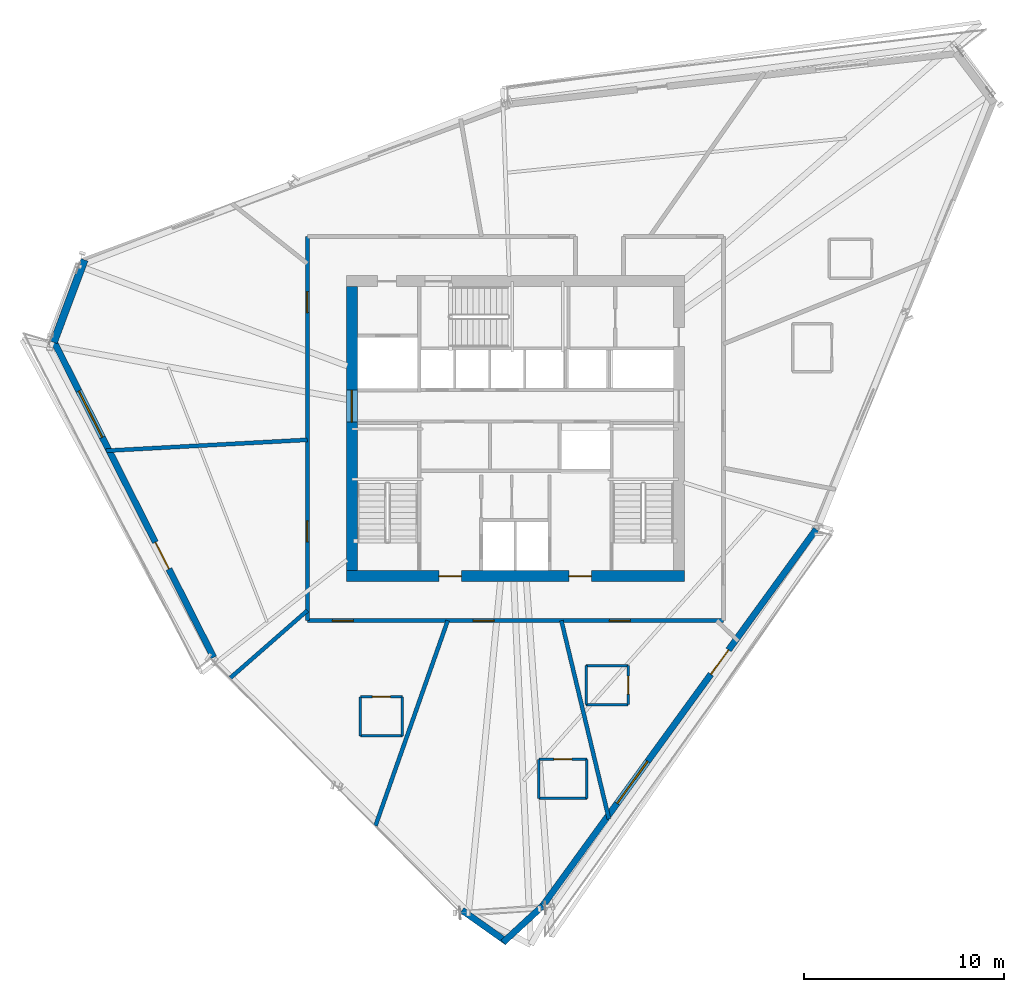
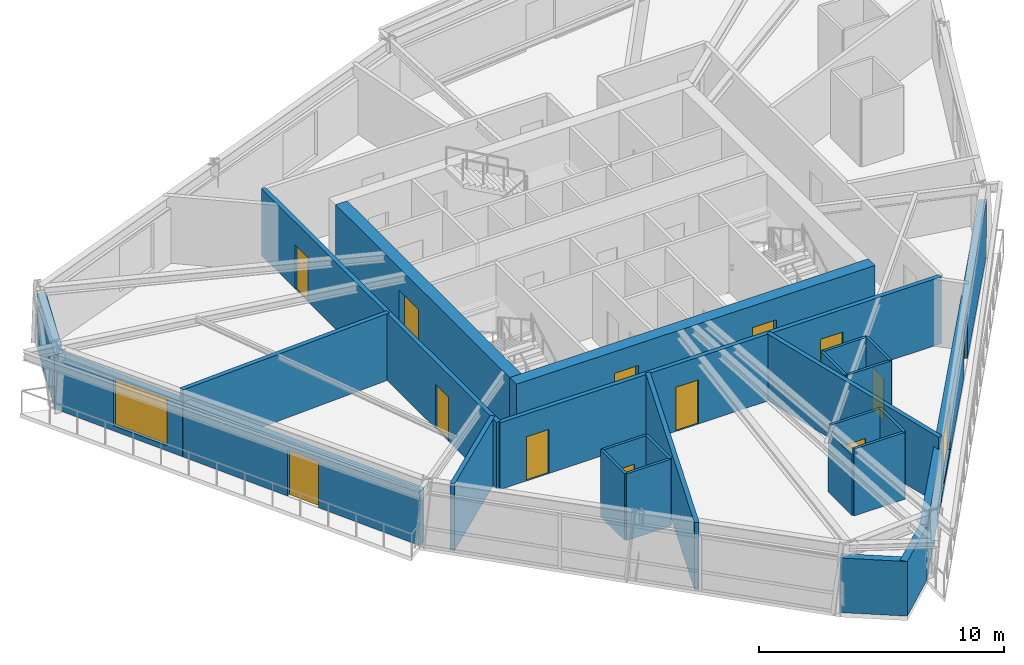
# One storey, part 8 of 14: 25 walls, 13 doors, 2 windows, 15 openings.
"""IFC4 building model written with IfcOpenShell, lengths in metres."""

from ifc_helpers import new_model, si_unit, direction, frame, frame_2d, origin, place, context, subcontext, project, spatial, rectangle, extrude, source, transform, mapped, material, layer, layer_set, type_object, type_shapes, element, fill, save


model = new_model("IFC4")

# Units and contexts
model_context = context("Model", 3, precision=1e-05, world=origin(), true_north=direction((0.0, 1.0)))
body_context = subcontext(model_context, "Body", "Model", "MODEL_VIEW")
ifc_project = project(units=[si_unit("LENGTHUNIT", "METRE"), si_unit("AREAUNIT", "SQUARE_METRE"), si_unit("VOLUMEUNIT", "CUBIC_METRE"), si_unit("PLANEANGLEUNIT", "RADIAN"), si_unit("MASSUNIT", "GRAM", prefix="KILO")], contexts=[model_context])

# Site, building, storey
site_placement = place(None, origin())
site = spatial("IfcSite", under=ifc_project, at=site_placement, CompositionType="ELEMENT")
building_placement = place(site_placement, origin())
building = spatial("IfcBuilding", under=site, at=building_placement, Name="Olszyna Solenne Hotel", CompositionType="ELEMENT")
storey_placement = place(building_placement, frame((0.0, 0.0, 185.64990234375)))
storey = spatial("IfcBuildingStorey", under=building, at=storey_placement, Name="L49", CompositionType="ELEMENT", Elevation=185.64990234375)

# Wall, openings, doors
ifc_material_1 = material(Name="Concrete C50/60", Category="concrete")
ifc_layer_1 = layer(ifc_material_1, 0.550048828125, Name="Concrete C50/60")
ifc_layer_set_1 = layer_set([ifc_layer_1], Name="Concrete C50/60")
wall_type_1 = type_object("IfcWallType", Name="WL-CR550", PredefinedType="SHEAR", material=ifc_layer_set_1)
wall_1_placement = place(storey_placement, frame((46.449951171875, 19.22509765625, 0.0), z_axis=(0.0, 0.0, 1.0), x_axis=(-1.0, 0.0, 0.0)))
wall_1 = element("IfcWall", 1, at=wall_1_placement, inside=storey, type_object=wall_type_1, Name="Core shear wall WL-CR550 CRW-L49-S", PredefinedType="SHEAR", context=body_context, shape_type="SweptSolid", body=[
    extrude(rectangle(XDim=16.89990234375, YDim=0.550048828125, at=frame_2d((8.449951171875, 0.0))), origin(), (0.0, 0.0, 1.0), 3.330078125),
])
opening_1_placement = place(wall_1_placement, frame((4.64990234375, 0.0, 0.0)))
opening_1 = element("IfcOpeningElement", 2, at=opening_1_placement, cuts=wall_1, Name="Opening FL-L49-1", PredefinedType="OPENING", context=body_context, shape_type="SweptSolid", body=[
    extrude(rectangle(XDim=1.1201171875, YDim=2.25, at=frame_2d((0.56005859375, 1.125))), frame((0.0, 0.28515625, 0.0), z_axis=(0.0, -1.0, 0.0), x_axis=(1.0, 0.0, 0.0)), (0.0, 0.0, 1.0), 0.570068359375),
])
opening_2_placement = place(wall_1_placement, frame((11.14990234375, 0.0, 0.0)))
opening_2 = element("IfcOpeningElement", 3, at=opening_2_placement, cuts=wall_1, Name="Opening FL-L49-2", PredefinedType="OPENING", context=body_context, shape_type="SweptSolid", body=[
    extrude(rectangle(XDim=1.1201171875, YDim=2.25, at=frame_2d((0.56005859375, 1.125))), frame((0.0, 0.28515625, 0.0), z_axis=(0.0, -1.0, 0.0), x_axis=(1.0, 0.0, 0.0)), (0.0, 0.0, 1.0), 0.570068359375),
])
ifc_material_2 = material(Name="Steel S355J2", Category="steel")
door_type_1 = type_object("IfcDoorType", Name="DR-FL1", OperationType="NOTDEFINED", PredefinedType="DOOR", material=ifc_material_2)
shared_shape_1 = source(origin(), body_context, "Body", "SweptSolid", [
    extrude(rectangle(XDim=1.1201171875, YDim=2.25, at=frame_2d((0.56005859375, 1.125))), frame((0.0, 0.02490234375, 0.0), z_axis=(0.0, -1.0, 0.0), x_axis=(1.0, 0.0, 0.0)), (0.0, 0.0, 1.0), 0.050048828125),
])
type_shapes(door_type_1, [shared_shape_1])
door_1_placement = place(opening_1_placement, origin())
door_1 = element("IfcDoor", 4, at=door_1_placement, inside=storey, type_object=door_type_1, Name="Firefighting lift lobby smoke door FL-L49-1", OperationType="SINGLE_SWING_LEFT", OverallHeight=2.25, OverallWidth=1.1201171875, PredefinedType="DOOR", context=body_context, shape_type="MappedRepresentation", body=[
    mapped(shared_shape_1, transform((0.0, 0.0, 0.0), x_axis=(1.0, 0.0, 0.0), y_axis=(0.0, 1.0, 0.0), z_axis=(0.0, 0.0, 1.0), scale=1.0)),
])
fill(opening_1, door_1)
door_2_placement = place(opening_2_placement, origin())
door_2 = element("IfcDoor", 5, at=door_2_placement, inside=storey, type_object=door_type_1, Name="Firefighting lift lobby smoke door FL-L49-2", OperationType="SINGLE_SWING_RIGHT", OverallHeight=2.25, OverallWidth=1.1201171875, PredefinedType="DOOR", context=body_context, shape_type="MappedRepresentation", body=[
    mapped(shared_shape_1, transform((0.0, 0.0, 0.0), x_axis=(1.0, 0.0, 0.0), y_axis=(0.0, 1.0, 0.0), z_axis=(0.0, 0.0, 1.0), scale=1.0)),
])
fill(opening_2, door_2)

# Wall, opening, door
wall_2_placement = place(storey_placement, frame((29.824951171875, 19.5, 0.0), z_axis=(0.0, 0.0, 1.0), x_axis=(0.0, 1.0, 0.0)))
wall_2 = element("IfcWall", 6, at=wall_2_placement, inside=storey, type_object=wall_type_1, Name="Core shear wall WL-CR550 CRW-L49-W", PredefinedType="SHEAR", context=body_context, shape_type="SweptSolid", body=[
    extrude(rectangle(XDim=14.199951171875, YDim=0.550048828125, at=frame_2d((7.10009765625, 0.0))), origin(), (0.0, 0.0, 1.0), 3.330078125),
])
opening_3_placement = place(wall_2_placement, frame((7.419921875, 0.0, 0.0)))
opening_3 = element("IfcOpeningElement", 7, at=opening_3_placement, cuts=wall_2, Name="Opening LHD-L49-W", PredefinedType="OPENING", context=body_context, shape_type="SweptSolid", body=[
    extrude(rectangle(XDim=1.60009765625, YDim=2.199951171875, at=frame_2d((0.800048828125, 1.10009765625))), frame((0.0, 0.28515625, 0.0), z_axis=(0.0, -1.0, 0.0), x_axis=(1.0, 0.0, 0.0)), (0.0, 0.0, 1.0), 0.570068359375),
])
ifc_material_3 = material(Name="Timber hardwood", Category="wood")
door_type_2 = type_object("IfcDoorType", Name="DR-CR1", OperationType="DOUBLE_DOOR_SINGLE_SWING", PredefinedType="DOOR", material=ifc_material_3)
shared_shape_2 = source(origin(), body_context, "Body", "SweptSolid", [
    extrude(rectangle(XDim=1.60009765625, YDim=2.199951171875, at=frame_2d((0.800048828125, 1.10009765625))), frame((0.0, 0.02490234375, 0.0), z_axis=(0.0, -1.0, 0.0), x_axis=(1.0, 0.0, 0.0)), (0.0, 0.0, 1.0), 0.050048828125),
])
type_shapes(door_type_2, [shared_shape_2])
door_3_placement = place(opening_3_placement, origin())
door_3 = element("IfcDoor", 8, at=door_3_placement, inside=storey, type_object=door_type_2, Name="Passenger lift lobby West fire door LHD-L49-W", OperationType="DOUBLE_DOOR_SINGLE_SWING", OverallHeight=2.199951171875, OverallWidth=1.60009765625, PredefinedType="DOOR", context=body_context, shape_type="MappedRepresentation", body=[
    mapped(shared_shape_2, transform((0.0, 0.0, 0.0), x_axis=(1.0, 0.0, 0.0), y_axis=(0.0, 1.0, 0.0), z_axis=(0.0, 0.0, 1.0), scale=1.0)),
])
fill(opening_3, door_3)

# Wall, openings, door, window
ifc_material_4 = material(Name="Precast concrete C45/55", Category="concrete")
ifc_layer_2 = layer(ifc_material_4, 0.320068359375, Name="Precast concrete C45/55")
ifc_layer_set_2 = layer_set([ifc_layer_2], Name="Precast concrete C45/55")
wall_type_2 = type_object("IfcWallType", Name="WL-EX320", PredefinedType="SOLIDWALL", material=ifc_layer_set_2)
wall_3_placement = place(storey_placement, frame((53.0341796875, 21.564697265625, 0.0), z_axis=(0.0, 0.0, 1.0), x_axis=(-0.58764790483, -0.809116765337, 0.0)))
wall_3 = element("IfcWall", 9, at=wall_3_placement, inside=storey, type_object=wall_type_2, Name="Exterior terracotta-precast frame wall WL-EX320 EW-L49-01", PredefinedType="SOLIDWALL", context=body_context, shape_type="SweptSolid", body=[
    extrude(rectangle(XDim=23.285400390625, YDim=0.320068359375, at=frame_2d((11.642578125, 0.0))), origin(), (0.0, 0.0, 1.0), 2.72216796875),
])
opening_4_placement = place(wall_3_placement, frame((7.450927734375, 0.0, 0.0)))
opening_4 = element("IfcOpeningElement", 10, at=opening_4_placement, cuts=wall_3, Name="Opening LDG-L49-3", PredefinedType="OPENING", context=body_context, shape_type="SweptSolid", body=[
    extrude(rectangle(XDim=1.5, YDim=2.300048828125, at=frame_2d((0.75, 1.14990234375))), frame((0.0, 0.169921875, 0.0), z_axis=(0.0, -1.0, 0.0), x_axis=(1.0, 0.0, 0.0)), (0.0, 0.0, 1.0), 0.340087890625),
])
opening_5_placement = place(wall_3_placement, frame((14.3310546875, 0.0, 0.251953125)))
opening_5 = element("IfcOpeningElement", 11, at=opening_5_placement, cuts=wall_3, Name="Opening WN-L49-308", PredefinedType="OPENING", context=body_context, shape_type="SweptSolid", body=[
    extrude(rectangle(XDim=2.60009765625, YDim=2.35009765625, at=frame_2d((1.300048828125, 1.175048828125))), frame((0.0, 0.169921875, 0.0), z_axis=(0.0, -1.0, 0.0), x_axis=(1.0, 0.0, 0.0)), (0.0, 0.0, 1.0), 0.340087890625),
])
ifc_material_5 = material(Name="Anodised bronze aluminium", Category="aluminium")
door_type_3 = type_object("IfcDoorType", Name="DR-LG2", OperationType="DOUBLE_DOOR_SINGLE_SWING", PredefinedType="DOOR", material=ifc_material_5)
shared_shape_3 = source(origin(), body_context, "Body", "SweptSolid", [
    extrude(rectangle(XDim=1.5, YDim=2.300048828125, at=frame_2d((0.75, 1.14990234375))), frame((0.0, 0.02490234375, 0.0), z_axis=(0.0, -1.0, 0.0), x_axis=(1.0, 0.0, 0.0)), (0.0, 0.0, 1.0), 0.050048828125),
])
type_shapes(door_type_3, [shared_shape_3])
door_4_placement = place(opening_4_placement, origin())
door_4 = element("IfcDoor", 12, at=door_4_placement, inside=storey, type_object=door_type_3, Name="Exterior loggia balcony door DR-LG2 LDG-L49-3", OperationType="DOUBLE_DOOR_SINGLE_SWING", OverallHeight=2.300048828125, OverallWidth=1.5, PredefinedType="DOOR", context=body_context, shape_type="MappedRepresentation", body=[
    mapped(shared_shape_3, transform((0.0, 0.0, 0.0), x_axis=(1.0, 0.0, 0.0), y_axis=(0.0, 1.0, 0.0), z_axis=(0.0, 0.0, 1.0), scale=1.0)),
])
fill(opening_4, door_4)
ifc_material_6 = material(Name="Low-E triple glazing", Category="glass")
window_type = type_object("IfcWindowType", Name="WN-ST1", PartitioningType="SINGLE_PANEL", PredefinedType="WINDOW", material=ifc_material_6)
shared_shape_4 = source(origin(), body_context, "Body", "SweptSolid", [
    extrude(rectangle(XDim=2.60009765625, YDim=2.35009765625, at=frame_2d((1.300048828125, 1.175048828125))), frame((0.0, 0.030029296875, 0.0), z_axis=(0.0, -1.0, 0.0), x_axis=(1.0, 0.0, 0.0)), (0.0, 0.0, 1.0), 0.06005859375),
])
type_shapes(window_type, [shared_shape_4])
window_1_placement = place(opening_5_placement, origin())
window_1 = element("IfcWindow", 13, at=window_1_placement, inside=storey, type_object=window_type, Name="Loggia room window WN-ST1 WN-L49-308", OverallHeight=2.35009765625, OverallWidth=2.60009765625, PartitioningType="SINGLE_PANEL", PredefinedType="WINDOW", context=body_context, shape_type="MappedRepresentation", body=[
    mapped(shared_shape_4, transform((0.0, 0.0, 0.0), x_axis=(1.0, 0.0, 0.0), y_axis=(0.0, 1.0, 0.0), z_axis=(0.0, 0.0, 1.0), scale=1.0)),
])
fill(opening_5, window_1)

# Walls
wall_4_placement = place(storey_placement, frame((39.371826171875, 2.747802734375, 0.0), z_axis=(0.0, 0.0, 1.0), x_axis=(-0.735229650834, -0.677818088084, 0.0)))
element("IfcWall", 14, at=wall_4_placement, inside=storey, type_object=wall_type_2, Name="Exterior terracotta-precast frame wall WL-EX320 EW-L49-02", PredefinedType="SOLIDWALL", context=body_context, shape_type="SweptSolid", body=[
    extrude(rectangle(XDim=2.7001953125, YDim=0.320068359375, at=frame_2d((1.35009765625, 0.0))), origin(), (0.0, 0.0, 1.0), 2.72216796875),
])
wall_5_placement = place(storey_placement, frame((37.58740234375, 0.930419921875, 0.0), z_axis=(0.0, 0.0, 1.0), x_axis=(-0.81582941208, 0.578292633867, 0.0)))
element("IfcWall", 15, at=wall_5_placement, inside=storey, type_object=wall_type_2, Name="Exterior terracotta-precast frame wall WL-EX320 EW-L49-03", PredefinedType="SOLIDWALL", context=body_context, shape_type="SweptSolid", body=[
    extrude(rectangle(XDim=2.755615234375, YDim=0.320068359375, at=frame_2d((1.3779296875, 0.0))), origin(), (0.0, 0.0, 1.0), 2.72216796875),
])

# Wall, openings, door, window
wall_6_placement = place(storey_placement, frame((22.917724609375, 15.1650390625, 0.0), z_axis=(0.0, 0.0, 1.0), x_axis=(-0.451192327093, 0.892426738714, 0.0)))
wall_6 = element("IfcWall", 16, at=wall_6_placement, inside=storey, type_object=wall_type_2, Name="Exterior terracotta-precast frame wall WL-EX320 EW-L49-05", PredefinedType="SOLIDWALL", context=body_context, shape_type="SweptSolid", body=[
    extrude(rectangle(XDim=17.799560546875, YDim=0.320068359375, at=frame_2d((8.89990234375, 0.0))), origin(), (0.0, 0.0, 1.0), 2.72216796875),
])
opening_6_placement = place(wall_6_placement, frame((4.946044921875, 0.0, 0.0)))
opening_6 = element("IfcOpeningElement", 17, at=opening_6_placement, cuts=wall_6, Name="Opening LDG-L49-2", PredefinedType="OPENING", context=body_context, shape_type="SweptSolid", body=[
    extrude(rectangle(XDim=1.5, YDim=2.300048828125, at=frame_2d((0.75, 1.14990234375))), frame((0.0, 0.169921875, 0.0), z_axis=(0.0, -1.0, 0.0), x_axis=(1.0, 0.0, 0.0)), (0.0, 0.0, 1.0), 0.340087890625),
])
opening_7_placement = place(wall_6_placement, frame((12.322021484375, 0.0, 0.251953125)))
opening_7 = element("IfcOpeningElement", 18, at=opening_7_placement, cuts=wall_6, Name="Opening WN-L49-309", PredefinedType="OPENING", context=body_context, shape_type="SweptSolid", body=[
    extrude(rectangle(XDim=2.60009765625, YDim=2.35009765625, at=frame_2d((1.300048828125, 1.175048828125))), frame((0.0, 0.169921875, 0.0), z_axis=(0.0, -1.0, 0.0), x_axis=(1.0, 0.0, 0.0)), (0.0, 0.0, 1.0), 0.340087890625),
])
door_5_placement = place(opening_6_placement, origin())
door_5 = element("IfcDoor", 19, at=door_5_placement, inside=storey, type_object=door_type_3, Name="Exterior loggia balcony door DR-LG2 LDG-L49-2", OperationType="DOUBLE_DOOR_SINGLE_SWING", OverallHeight=2.300048828125, OverallWidth=1.5, PredefinedType="DOOR", context=body_context, shape_type="MappedRepresentation", body=[
    mapped(shared_shape_3, transform((0.0, 0.0, 0.0), x_axis=(1.0, 0.0, 0.0), y_axis=(0.0, 1.0, 0.0), z_axis=(0.0, 0.0, 1.0), scale=1.0)),
])
fill(opening_6, door_5)
window_2_placement = place(opening_7_placement, origin())
window_2 = element("IfcWindow", 20, at=window_2_placement, inside=storey, type_object=window_type, Name="Loggia room window WN-ST1 WN-L49-309", OverallHeight=2.35009765625, OverallWidth=2.60009765625, PartitioningType="SINGLE_PANEL", PredefinedType="WINDOW", context=body_context, shape_type="MappedRepresentation", body=[
    mapped(shared_shape_4, transform((0.0, 0.0, 0.0), x_axis=(1.0, 0.0, 0.0), y_axis=(0.0, 1.0, 0.0), z_axis=(0.0, 0.0, 1.0), scale=1.0)),
])
fill(opening_7, window_2)

# Walls
ifc_material_7 = material(Name="Terracotta cladding on precast concrete C45/55", Category="masonry")
ifc_layer_3 = layer(ifc_material_7, 0.3798828125, Name="Terracotta cladding on precast concrete C45/55")
ifc_layer_set_3 = layer_set([ifc_layer_3], Name="Terracotta cladding on precast concrete C45/55")
wall_type_3 = type_object("IfcWallType", Name="WL-EX380", PredefinedType="SOLIDWALL", material=ifc_layer_set_3)
wall_7_placement = place(storey_placement, frame((14.921875, 30.9111328125, 0.0), z_axis=(0.0, 0.0, 1.0), x_axis=(0.350168907241, 0.936686573194, 0.0)))
element("IfcWall", 21, at=wall_7_placement, inside=storey, type_object=wall_type_3, Name="Exterior terracotta-precast frame wall WL-EX380 EW-L49-06", PredefinedType="SOLIDWALL", context=body_context, shape_type="SweptSolid", body=[
    extrude(rectangle(XDim=4.4013671875, YDim=0.3798828125, at=frame_2d((2.20068359375, 0.0))), origin(), (0.0, 0.0, 1.0), 2.72216796875),
])
ifc_material_8 = material(Name="Acoustic gypsum partition", Category="gypsum")
ifc_layer_4 = layer(ifc_material_8, 0.125, Name="Acoustic gypsum partition")
ifc_layer_set_4 = layer_set([ifc_layer_4], Name="Acoustic gypsum partition")
wall_type_4 = type_object("IfcWallType", Name="WL-PT125", PredefinedType="PARTITIONING", material=ifc_layer_set_4)
wall_8_placement = place(storey_placement, frame((41.5791015625, 8.118896484375, 0.0), z_axis=(0.0, 0.0, 1.0), x_axis=(0.0, 1.0, 0.0)))
element("IfcWall", 22, at=wall_8_placement, inside=storey, type_object=wall_type_4, Name="Interior acoustic partition WL-PT125 PW-L49-2763", PredefinedType="PARTITIONING", context=body_context, shape_type="SweptSolid", body=[
    extrude(rectangle(XDim=1.9501953125, YDim=0.125, at=frame_2d((0.97509765625, 0.0))), origin(), (0.0, 0.0, 1.0), 3.330078125),
])

# Wall, opening, door
wall_9_placement = place(storey_placement, frame((41.5791015625, 10.069091796875, 0.0), z_axis=(0.0, 0.0, 1.0), x_axis=(-1.0, 0.0, 0.0)))
wall_9 = element("IfcWall", 23, at=wall_9_placement, inside=storey, type_object=wall_type_4, Name="Interior acoustic partition WL-PT125 PW-L49-2764", PredefinedType="PARTITIONING", context=body_context, shape_type="SweptSolid", body=[
    extrude(rectangle(XDim=2.400146484375, YDim=0.125, at=frame_2d((1.2001953125, 0.0))), origin(), (0.0, 0.0, 1.0), 3.330078125),
])
opening_8_placement = place(wall_9_placement, frame((0.75, 0.0, 0.0)))
opening_8 = element("IfcOpeningElement", 24, at=opening_8_placement, cuts=wall_9, Name="Opening DR-L49-0667", PredefinedType="OPENING", context=body_context, shape_type="SweptSolid", body=[
    extrude(rectangle(XDim=0.89990234375, YDim=2.10009765625, at=frame_2d((0.449951171875, 1.050048828125))), frame((0.0, 0.072509765625, 0.0), z_axis=(0.0, -1.0, 0.0), x_axis=(1.0, 0.0, 0.0)), (0.0, 0.0, 1.0), 0.14501953125),
])
door_type_4 = type_object("IfcDoorType", Name="DR-WC1", OperationType="NOTDEFINED", PredefinedType="DOOR", material=ifc_material_3)
shared_shape_5 = source(origin(), body_context, "Body", "SweptSolid", [
    extrude(rectangle(XDim=0.89990234375, YDim=2.10009765625, at=frame_2d((0.449951171875, 1.050048828125))), frame((0.0, 0.02490234375, 0.0), z_axis=(0.0, -1.0, 0.0), x_axis=(1.0, 0.0, 0.0)), (0.0, 0.0, 1.0), 0.050048828125),
])
type_shapes(door_type_4, [shared_shape_5])
door_6_placement = place(opening_8_placement, origin())
door_6 = element("IfcDoor", 25, at=door_6_placement, inside=storey, type_object=door_type_4, Name="En-Suite Bathroom Door DR-L49-0667", OperationType="SINGLE_SWING_LEFT", OverallHeight=2.10009765625, OverallWidth=0.89990234375, PredefinedType="DOOR", context=body_context, shape_type="MappedRepresentation", body=[
    mapped(shared_shape_5, transform((0.0, 0.0, 0.0), x_axis=(1.0, 0.0, 0.0), y_axis=(0.0, 1.0, 0.0), z_axis=(0.0, 0.0, 1.0), scale=1.0)),
])
fill(opening_8, door_6)

# Walls
wall_10_placement = place(storey_placement, frame((39.178955078125, 10.069091796875, 0.0), z_axis=(0.0, 0.0, 1.0), x_axis=(0.0, -1.0, 0.0)))
element("IfcWall", 26, at=wall_10_placement, inside=storey, type_object=wall_type_4, Name="Interior acoustic partition WL-PT125 PW-L49-2765", PredefinedType="PARTITIONING", context=body_context, shape_type="SweptSolid", body=[
    extrude(rectangle(XDim=1.9501953125, YDim=0.125, at=frame_2d((0.97509765625, 0.0))), origin(), (0.0, 0.0, 1.0), 3.005126953125),
])
wall_11_placement = place(storey_placement, frame((39.178955078125, 8.118896484375, 0.0), z_axis=(0.0, 0.0, 1.0), x_axis=(1.0, 0.0, 0.0)))
element("IfcWall", 27, at=wall_11_placement, inside=storey, type_object=wall_type_4, Name="Interior acoustic partition WL-PT125 PW-L49-2766", PredefinedType="PARTITIONING", context=body_context, shape_type="SweptSolid", body=[
    extrude(rectangle(XDim=2.400146484375, YDim=0.125, at=frame_2d((1.2001953125, 0.0))), origin(), (0.0, 0.0, 1.0), 3.330078125),
])

# Wall, opening, door
wall_12_placement = place(storey_placement, frame((43.634033203125, 12.806884765625, 0.0), z_axis=(0.0, 0.0, 1.0), x_axis=(0.0, 1.0, 0.0)))
wall_12 = element("IfcWall", 28, at=wall_12_placement, inside=storey, type_object=wall_type_4, Name="Interior acoustic partition WL-PT125 PW-L49-2767", PredefinedType="PARTITIONING", context=body_context, shape_type="SweptSolid", body=[
    extrude(rectangle(XDim=1.9501953125, YDim=0.125, at=frame_2d((0.97509765625, 0.0))), origin(), (0.0, 0.0, 1.0), 3.330078125),
])
opening_9_placement = place(wall_12_placement, frame((0.52490234375, 0.0, 0.0)))
opening_9 = element("IfcOpeningElement", 29, at=opening_9_placement, cuts=wall_12, Name="Opening DR-L49-0668", PredefinedType="OPENING", context=body_context, shape_type="SweptSolid", body=[
    extrude(rectangle(XDim=0.89990234375, YDim=2.10009765625, at=frame_2d((0.449951171875, 1.050048828125))), frame((0.0, 0.072509765625, 0.0), z_axis=(0.0, -1.0, 0.0), x_axis=(1.0, 0.0, 0.0)), (0.0, 0.0, 1.0), 0.14501953125),
])
door_7_placement = place(opening_9_placement, origin())
door_7 = element("IfcDoor", 30, at=door_7_placement, inside=storey, type_object=door_type_4, Name="En-Suite Bathroom Door DR-L49-0668", OperationType="SINGLE_SWING_RIGHT", OverallHeight=2.10009765625, OverallWidth=0.89990234375, PredefinedType="DOOR", context=body_context, shape_type="MappedRepresentation", body=[
    mapped(shared_shape_5, transform((0.0, 0.0, 0.0), x_axis=(1.0, 0.0, 0.0), y_axis=(0.0, 1.0, 0.0), z_axis=(0.0, 0.0, 1.0), scale=1.0)),
])
fill(opening_9, door_7)

# Walls
wall_13_placement = place(storey_placement, frame((43.634033203125, 14.757080078125, 0.0), z_axis=(0.0, 0.0, 1.0), x_axis=(-1.0, 0.0, 0.0)))
element("IfcWall", 31, at=wall_13_placement, inside=storey, type_object=wall_type_4, Name="Interior acoustic partition WL-PT125 PW-L49-2768", PredefinedType="PARTITIONING", context=body_context, shape_type="SweptSolid", body=[
    extrude(rectangle(XDim=2.10009765625, YDim=0.125, at=frame_2d((1.050048828125, 0.0))), origin(), (0.0, 0.0, 1.0), 3.330078125),
])
wall_14_placement = place(storey_placement, frame((41.533935546875, 14.757080078125, 0.0), z_axis=(0.0, 0.0, 1.0), x_axis=(0.0, -1.0, 0.0)))
element("IfcWall", 32, at=wall_14_placement, inside=storey, type_object=wall_type_4, Name="Interior acoustic partition WL-PT125 PW-L49-2769", PredefinedType="PARTITIONING", context=body_context, shape_type="SweptSolid", body=[
    extrude(rectangle(XDim=1.9501953125, YDim=0.125, at=frame_2d((0.97509765625, 0.0))), origin(), (0.0, 0.0, 1.0), 3.330078125),
])
wall_15_placement = place(storey_placement, frame((41.533935546875, 12.806884765625, 0.0), z_axis=(0.0, 0.0, 1.0), x_axis=(1.0, 0.0, 0.0)))
element("IfcWall", 33, at=wall_15_placement, inside=storey, type_object=wall_type_4, Name="Interior acoustic partition WL-PT125 PW-L49-2770", PredefinedType="PARTITIONING", context=body_context, shape_type="SweptSolid", body=[
    extrude(rectangle(XDim=2.10009765625, YDim=0.125, at=frame_2d((1.050048828125, 0.0))), origin(), (0.0, 0.0, 1.0), 3.330078125),
])
wall_16_placement = place(storey_placement, frame((32.35595703125, 11.239013671875, 0.0), z_axis=(0.0, 0.0, 1.0), x_axis=(0.0, 1.0, 0.0)))
element("IfcWall", 34, at=wall_16_placement, inside=storey, type_object=wall_type_4, Name="Interior acoustic partition WL-PT125 PW-L49-2779", PredefinedType="PARTITIONING", context=body_context, shape_type="SweptSolid", body=[
    extrude(rectangle(XDim=1.949951171875, YDim=0.125, at=frame_2d((0.97509765625, 0.0))), origin(), (0.0, 0.0, 1.0), 3.330078125),
])

# Wall, opening, door
wall_17_placement = place(storey_placement, frame((32.35595703125, 13.18896484375, 0.0), z_axis=(0.0, 0.0, 1.0), x_axis=(-1.0, 0.0, 0.0)))
wall_17 = element("IfcWall", 35, at=wall_17_placement, inside=storey, type_object=wall_type_4, Name="Interior acoustic partition WL-PT125 PW-L49-2780", PredefinedType="PARTITIONING", context=body_context, shape_type="SweptSolid", body=[
    extrude(rectangle(XDim=2.099853515625, YDim=0.125, at=frame_2d((1.0498046875, 0.0))), origin(), (0.0, 0.0, 1.0), 3.330078125),
])
opening_10_placement = place(wall_17_placement, frame((0.60009765625, 0.0, 0.0)))
opening_10 = element("IfcOpeningElement", 36, at=opening_10_placement, cuts=wall_17, Name="Opening DR-L49-0671", PredefinedType="OPENING", context=body_context, shape_type="SweptSolid", body=[
    extrude(rectangle(XDim=0.89990234375, YDim=2.10009765625, at=frame_2d((0.449951171875, 1.050048828125))), frame((0.0, 0.072509765625, 0.0), z_axis=(0.0, -1.0, 0.0), x_axis=(1.0, 0.0, 0.0)), (0.0, 0.0, 1.0), 0.14501953125),
])
door_8_placement = place(opening_10_placement, origin())
door_8 = element("IfcDoor", 37, at=door_8_placement, inside=storey, type_object=door_type_4, Name="En-Suite Bathroom Door DR-L49-0671", OperationType="SINGLE_SWING_LEFT", OverallHeight=2.10009765625, OverallWidth=0.89990234375, PredefinedType="DOOR", context=body_context, shape_type="MappedRepresentation", body=[
    mapped(shared_shape_5, transform((0.0, 0.0, 0.0), x_axis=(1.0, 0.0, 0.0), y_axis=(0.0, 1.0, 0.0), z_axis=(0.0, 0.0, 1.0), scale=1.0)),
])
fill(opening_10, door_8)

# Walls
wall_18_placement = place(storey_placement, frame((30.256103515625, 13.18896484375, 0.0), z_axis=(0.0, 0.0, 1.0), x_axis=(0.0, -1.0, 0.0)))
element("IfcWall", 38, at=wall_18_placement, inside=storey, type_object=wall_type_4, Name="Interior acoustic partition WL-PT125 PW-L49-2781", PredefinedType="PARTITIONING", context=body_context, shape_type="SweptSolid", body=[
    extrude(rectangle(XDim=1.949951171875, YDim=0.125, at=frame_2d((0.97509765625, 0.0))), origin(), (0.0, 0.0, 1.0), 3.330078125),
])
wall_19_placement = place(storey_placement, frame((30.256103515625, 11.239013671875, 0.0), z_axis=(0.0, 0.0, 1.0), x_axis=(1.0, 0.0, 0.0)))
element("IfcWall", 39, at=wall_19_placement, inside=storey, type_object=wall_type_4, Name="Interior acoustic partition WL-PT125 PW-L49-2782", PredefinedType="PARTITIONING", context=body_context, shape_type="SweptSolid", body=[
    extrude(rectangle(XDim=2.099853515625, YDim=0.125, at=frame_2d((1.0498046875, 0.0))), origin(), (0.0, 0.0, 1.0), 3.330078125),
])
ifc_layer_5 = layer(ifc_material_8, 0.199951171875, Name="Acoustic gypsum partition")
ifc_layer_set_5 = layer_set([ifc_layer_5], Name="Acoustic gypsum partition")
wall_type_5 = type_object("IfcWallType", Name="WL-PT200", PredefinedType="PARTITIONING", material=ifc_layer_set_5)
wall_20_placement = place(storey_placement, frame((34.619384765625, 17.0, 0.0), z_axis=(0.0, 0.0, 1.0), x_axis=(-0.332157214304, -0.943224037536, 0.0)))
element("IfcWall", 40, at=wall_20_placement, inside=storey, type_object=wall_type_5, Name="Interior acoustic partition WL-PT200 PW-L49-2753", PredefinedType="PARTITIONING", context=body_context, shape_type="SweptSolid", body=[
    extrude(rectangle(XDim=10.866455078125, YDim=0.199951171875, at=frame_2d((5.43310546875, 0.0))), origin(), (0.0, 0.0, 1.0), 3.330078125),
])
wall_21_placement = place(storey_placement, frame((40.302001953125, 17.0, 0.0), z_axis=(0.0, 0.0, 1.0), x_axis=(0.233176404648, -0.972434452452, 0.0)))
element("IfcWall", 41, at=wall_21_placement, inside=storey, type_object=wall_type_5, Name="Interior acoustic partition WL-PT200 PW-L49-2754", PredefinedType="PARTITIONING", context=body_context, shape_type="SweptSolid", body=[
    extrude(rectangle(XDim=10.19482421875, YDim=0.199951171875, at=frame_2d((5.097412109375, 0.0))), origin(), (0.0, 0.0, 1.0), 3.330078125),
])
wall_22_placement = place(storey_placement, frame((27.60009765625, 26.036865234375, 0.0), z_axis=(0.0, 0.0, 1.0), x_axis=(-0.998535764229, -0.054095541001, 0.0)))
element("IfcWall", 42, at=wall_22_placement, inside=storey, type_object=wall_type_5, Name="Interior acoustic partition WL-PT200 PW-L49-2761", PredefinedType="PARTITIONING", context=body_context, shape_type="SweptSolid", body=[
    extrude(rectangle(XDim=10.064208984375, YDim=0.199951171875, at=frame_2d((5.0322265625, 0.0))), origin(), (0.0, 0.0, 1.0), 3.330078125),
])
wall_23_placement = place(storey_placement, frame((27.60009765625, 17.5029296875, 0.0), z_axis=(0.0, 0.0, 1.0), x_axis=(-0.752689151481, -0.658376063692, 0.0)))
element("IfcWall", 43, at=wall_23_placement, inside=storey, type_object=wall_type_5, Name="Interior acoustic partition WL-PT200 PW-L49-2762", PredefinedType="PARTITIONING", context=body_context, shape_type="SweptSolid", body=[
    extrude(rectangle(XDim=5.10986328125, YDim=0.199951171875, at=frame_2d((2.554931640625, 0.0))), origin(), (0.0, 0.0, 1.0), 3.330078125),
])

# Wall, openings, doors
wall_24_placement = place(storey_placement, frame((27.60009765625, 17.0, 0.0), z_axis=(0.0, 0.0, 1.0), x_axis=(1.0, 0.0, 0.0)))
wall_24 = element("IfcWall", 44, at=wall_24_placement, inside=storey, type_object=wall_type_5, Name="Interior acoustic partition WL-PT200 PW-L49-2783", PredefinedType="PARTITIONING", context=body_context, shape_type="SweptSolid", body=[
    extrude(rectangle(XDim=20.7998046875, YDim=0.199951171875, at=frame_2d((10.39990234375, 0.0))), origin(), (0.0, 0.0, 1.0), 3.330078125),
])
opening_11_placement = place(wall_24_placement, frame((8.2919921875, 0.0, 0.0)))
opening_11 = element("IfcOpeningElement", 45, at=opening_11_placement, cuts=wall_24, Name="Opening DR-L49-0672", PredefinedType="OPENING", context=body_context, shape_type="SweptSolid", body=[
    extrude(rectangle(XDim=1.050048828125, YDim=2.199951171875, at=frame_2d((0.52490234375, 1.10009765625))), frame((0.0, 0.10986328125, 0.0), z_axis=(0.0, -1.0, 0.0), x_axis=(1.0, 0.0, 0.0)), (0.0, 0.0, 1.0), 0.219970703125),
])
opening_12_placement = place(wall_24_placement, frame((15.096923828125, 0.0, 0.0)))
opening_12 = element("IfcOpeningElement", 46, at=opening_12_placement, cuts=wall_24, Name="Opening DR-L49-0673", PredefinedType="OPENING", context=body_context, shape_type="SweptSolid", body=[
    extrude(rectangle(XDim=1.050048828125, YDim=2.199951171875, at=frame_2d((0.52490234375, 1.10009765625))), frame((0.0, 0.10986328125, 0.0), z_axis=(0.0, -1.0, 0.0), x_axis=(1.0, 0.0, 0.0)), (0.0, 0.0, 1.0), 0.219970703125),
])
opening_13_placement = place(wall_24_placement, frame((1.25, 0.0, 0.0)))
opening_13 = element("IfcOpeningElement", 47, at=opening_13_placement, cuts=wall_24, Name="Opening DR-L49-0674", PredefinedType="OPENING", context=body_context, shape_type="SweptSolid", body=[
    extrude(rectangle(XDim=1.050048828125, YDim=2.199951171875, at=frame_2d((0.52490234375, 1.10009765625))), frame((0.0, 0.10986328125, 0.0), z_axis=(0.0, -1.0, 0.0), x_axis=(1.0, 0.0, 0.0)), (0.0, 0.0, 1.0), 0.219970703125),
])
door_type_5 = type_object("IfcDoorType", Name="DR-RM2", OperationType="NOTDEFINED", PredefinedType="DOOR", material=ifc_material_3)
shared_shape_6 = source(origin(), body_context, "Body", "SweptSolid", [
    extrude(rectangle(XDim=1.050048828125, YDim=2.199951171875, at=frame_2d((0.52490234375, 1.10009765625))), frame((0.0, 0.02490234375, 0.0), z_axis=(0.0, -1.0, 0.0), x_axis=(1.0, 0.0, 0.0)), (0.0, 0.0, 1.0), 0.050048828125),
])
type_shapes(door_type_5, [shared_shape_6])
door_9_placement = place(opening_11_placement, origin())
door_9 = element("IfcDoor", 48, at=door_9_placement, inside=storey, type_object=door_type_5, Name="Deluxe Hotel Guestroom Entrance Door DR-L49-0672", OperationType="SINGLE_SWING_RIGHT", OverallHeight=2.199951171875, OverallWidth=1.050048828125, PredefinedType="DOOR", context=body_context, shape_type="MappedRepresentation", body=[
    mapped(shared_shape_6, transform((0.0, 0.0, 0.0), x_axis=(1.0, 0.0, 0.0), y_axis=(0.0, 1.0, 0.0), z_axis=(0.0, 0.0, 1.0), scale=1.0)),
])
fill(opening_11, door_9)
door_10_placement = place(opening_12_placement, origin())
door_10 = element("IfcDoor", 49, at=door_10_placement, inside=storey, type_object=door_type_5, Name="Deluxe Hotel Guestroom Entrance Door DR-L49-0673", OperationType="SINGLE_SWING_LEFT", OverallHeight=2.199951171875, OverallWidth=1.050048828125, PredefinedType="DOOR", context=body_context, shape_type="MappedRepresentation", body=[
    mapped(shared_shape_6, transform((0.0, 0.0, 0.0), x_axis=(1.0, 0.0, 0.0), y_axis=(0.0, 1.0, 0.0), z_axis=(0.0, 0.0, 1.0), scale=1.0)),
])
fill(opening_12, door_10)
door_11_placement = place(opening_13_placement, origin())
door_11 = element("IfcDoor", 50, at=door_11_placement, inside=storey, type_object=door_type_5, Name="Executive Reading Salon Entrance Door DR-L49-0674", OperationType="SINGLE_SWING_LEFT", OverallHeight=2.199951171875, OverallWidth=1.050048828125, PredefinedType="DOOR", context=body_context, shape_type="MappedRepresentation", body=[
    mapped(shared_shape_6, transform((0.0, 0.0, 0.0), x_axis=(1.0, 0.0, 0.0), y_axis=(0.0, 1.0, 0.0), z_axis=(0.0, 0.0, 1.0), scale=1.0)),
])
fill(opening_13, door_11)

wall_25_placement = place(storey_placement, frame((27.60009765625, 17.0, 0.0), z_axis=(0.0, 0.0, 1.0), x_axis=(0.0, 1.0, 0.0)))
wall_25 = element("IfcWall", 51, at=wall_25_placement, inside=storey, type_object=wall_type_5, Name="Interior acoustic partition WL-PT200 PW-L49-2784", PredefinedType="PARTITIONING", context=body_context, shape_type="SweptSolid", body=[
    extrude(rectangle(XDim=19.199951171875, YDim=0.199951171875, at=frame_2d((9.60009765625, 0.0))), origin(), (0.0, 0.0, 1.0), 3.330078125),
])
opening_14_placement = place(wall_25_placement, frame((15.39208984375, 0.0, 0.0)))
opening_14 = element("IfcOpeningElement", 52, at=opening_14_placement, cuts=wall_25, Name="Opening DR-L49-0675", PredefinedType="OPENING", context=body_context, shape_type="SweptSolid", body=[
    extrude(rectangle(XDim=1.050048828125, YDim=2.199951171875, at=frame_2d((0.52490234375, 1.10009765625))), frame((0.0, 0.10986328125, 0.0), z_axis=(0.0, -1.0, 0.0), x_axis=(1.0, 0.0, 0.0)), (0.0, 0.0, 1.0), 0.219970703125),
])
opening_15_placement = place(wall_25_placement, frame((3.93798828125, 0.0, 0.0)))
opening_15 = element("IfcOpeningElement", 53, at=opening_15_placement, cuts=wall_25, Name="Opening DR-L49-0676", PredefinedType="OPENING", context=body_context, shape_type="SweptSolid", body=[
    extrude(rectangle(XDim=1.050048828125, YDim=2.199951171875, at=frame_2d((0.52490234375, 1.10009765625))), frame((0.0, 0.10986328125, 0.0), z_axis=(0.0, -1.0, 0.0), x_axis=(1.0, 0.0, 0.0)), (0.0, 0.0, 1.0), 0.219970703125),
])
door_12_placement = place(opening_14_placement, origin())
door_12 = element("IfcDoor", 54, at=door_12_placement, inside=storey, type_object=door_type_5, Name="Breakfast Tasting Salon Entrance Door DR-L49-0675", OperationType="SINGLE_SWING_LEFT", OverallHeight=2.199951171875, OverallWidth=1.050048828125, PredefinedType="DOOR", context=body_context, shape_type="MappedRepresentation", body=[
    mapped(shared_shape_6, transform((0.0, 0.0, 0.0), x_axis=(1.0, 0.0, 0.0), y_axis=(0.0, 1.0, 0.0), z_axis=(0.0, 0.0, 1.0), scale=1.0)),
])
fill(opening_14, door_12)
door_13_placement = place(opening_15_placement, origin())
door_13 = element("IfcDoor", 55, at=door_13_placement, inside=storey, type_object=door_type_5, Name="Private Business Office Entrance Door DR-L49-0676", OperationType="SINGLE_SWING_RIGHT", OverallHeight=2.199951171875, OverallWidth=1.050048828125, PredefinedType="DOOR", context=body_context, shape_type="MappedRepresentation", body=[
    mapped(shared_shape_6, transform((0.0, 0.0, 0.0), x_axis=(1.0, 0.0, 0.0), y_axis=(0.0, 1.0, 0.0), z_axis=(0.0, 0.0, 1.0), scale=1.0)),
])
fill(opening_15, door_13)

save(model, "model.ifc")
